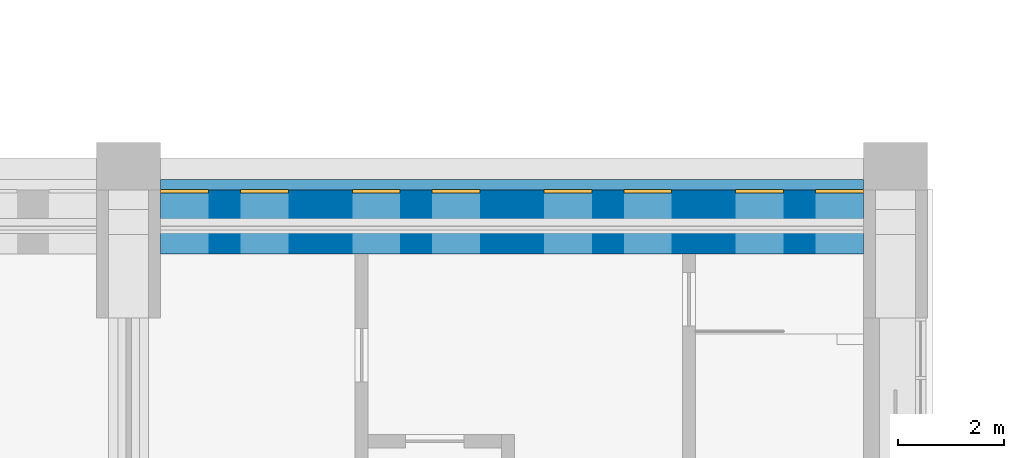
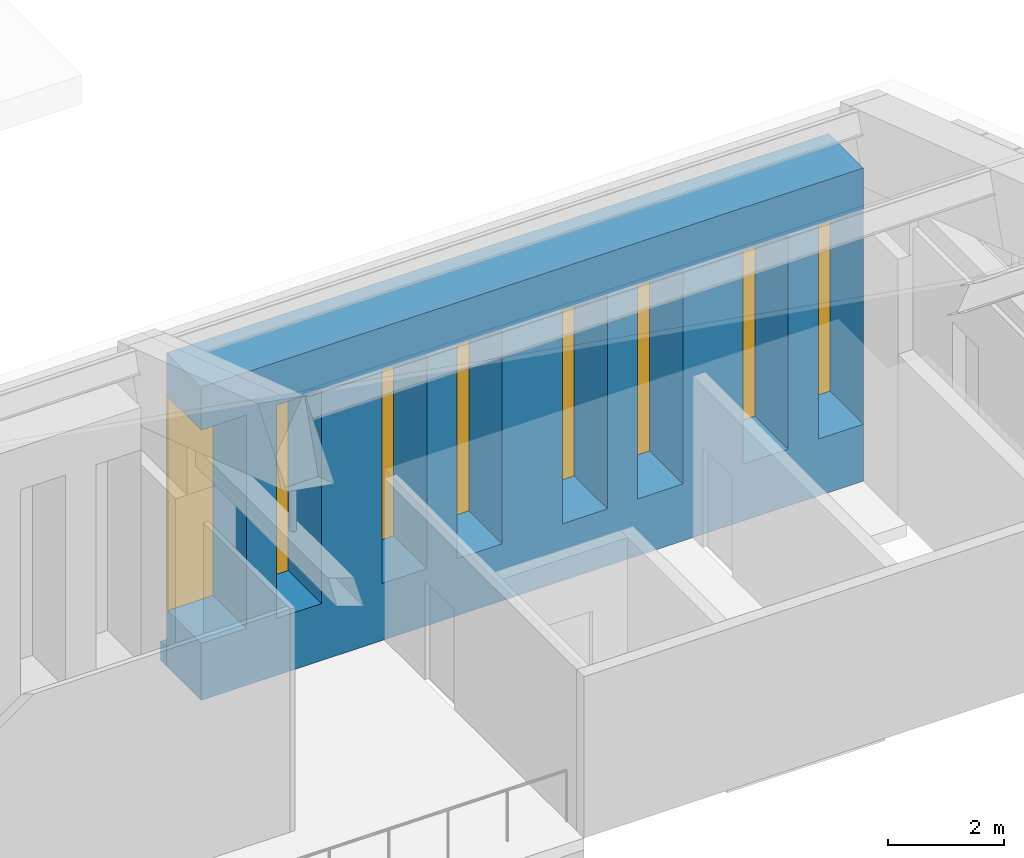
# One storey, part 135 of 149: 8 windows, 2 walls, 8 openings.
"""IFC4 building model written with IfcOpenShell, lengths in metres."""

from ifc_helpers import new_model, si_unit, direction, frame, frame_2d, origin, place, context, subcontext, project, spatial, rectangle, extrude, material, layer, layer_set, type_object, element, fill, save


model = new_model("IFC4")

# Units and contexts
model_context = context("Model", 3, precision=1e-05, world=origin(), true_north=direction((0.0, 1.0)))
body_context = subcontext(model_context, "Body", "Model", "MODEL_VIEW")
ifc_project = project(units=[si_unit("LENGTHUNIT", "METRE"), si_unit("AREAUNIT", "SQUARE_METRE"), si_unit("VOLUMEUNIT", "CUBIC_METRE"), si_unit("PLANEANGLEUNIT", "RADIAN"), si_unit("MASSUNIT", "GRAM", prefix="KILO")], contexts=[model_context])

# Site, building, storey
site_placement = place(None, origin())
site = spatial("IfcSite", under=ifc_project, at=site_placement, CompositionType="ELEMENT")
building_placement = place(site_placement, origin())
building = spatial("IfcBuilding", under=site, at=building_placement, Name="Alderwick Market Hall", CompositionType="ELEMENT")
storey_placement = place(building_placement, frame((0.0, 0.0, 9.60009765625)))
storey = spatial("IfcBuildingStorey", under=building, at=storey_placement, Name="L01", CompositionType="ELEMENT", Elevation=9.60009765625)

# Wall, openings, windows
ifc_material_1 = material(Name="Concrete 5000 psi (f'c 35 MPa)", Category="concrete")
ifc_layer_1 = layer(ifc_material_1, 1.199951171875)
ifc_layer_set_1 = layer_set([ifc_layer_1], Name="Concrete 5000 psi (f'c 35 MPa)")
wall_type_1 = type_object("IfcWallType", Name="H Long wall 1200", PredefinedType="SOLIDWALL", material=ifc_layer_set_1)
wall_1_placement = place(storey_placement, frame((137.39990234375, 108.0, 0.0), z_axis=(0.0, 0.0, 1.0), x_axis=(1.0, 0.0, 0.0)))
wall_1 = element("IfcWall", 1, at=wall_1_placement, inside=storey, type_object=wall_type_1, Name="Long wall N L01 7", PredefinedType="SOLIDWALL", context=body_context, shape_type="SweptSolid", body=[
    extrude(rectangle(XDim=13.2001953125, YDim=1.199951171875, at=frame_2d((6.60009765625, 0.0))), origin(), (0.0, 0.0, 1.0), 6.599853515625),
])
opening_1_placement = place(wall_1_placement, frame((0.0, 0.0, 1.199951171875)))
opening_1 = element("IfcOpeningElement", 2, at=opening_1_placement, cuts=wall_1, Name="Opening H-W209", PredefinedType="OPENING", context=body_context, shape_type="SweptSolid", body=[
    extrude(rectangle(XDim=0.89990234375, YDim=4.5, at=frame_2d((0.449951171875, 2.25))), frame((0.0, 0.60986328125, 0.0), z_axis=(0.0, -1.0, 0.0), x_axis=(1.0, 0.0, 0.0)), (0.0, 0.0, 1.0), 1.219970703125),
])
opening_2_placement = place(wall_1_placement, frame((1.5, 0.0, 1.199951171875)))
opening_2 = element("IfcOpeningElement", 3, at=opening_2_placement, cuts=wall_1, Name="Opening H-W210", PredefinedType="OPENING", context=body_context, shape_type="SweptSolid", body=[
    extrude(rectangle(XDim=0.89990234375, YDim=4.5, at=frame_2d((0.449951171875, 2.25))), frame((0.0, 0.60986328125, 0.0), z_axis=(0.0, -1.0, 0.0), x_axis=(1.0, 0.0, 0.0)), (0.0, 0.0, 1.0), 1.219970703125),
])
opening_3_placement = place(wall_1_placement, frame((3.60009765625, 0.0, 1.199951171875)))
opening_3 = element("IfcOpeningElement", 4, at=opening_3_placement, cuts=wall_1, Name="Opening H-W211", PredefinedType="OPENING", context=body_context, shape_type="SweptSolid", body=[
    extrude(rectangle(XDim=0.89990234375, YDim=4.5, at=frame_2d((0.449951171875, 2.25))), frame((0.0, 0.60986328125, 0.0), z_axis=(0.0, -1.0, 0.0), x_axis=(1.0, 0.0, 0.0)), (0.0, 0.0, 1.0), 1.219970703125),
])
opening_4_placement = place(wall_1_placement, frame((5.10009765625, 0.0, 1.199951171875)))
opening_4 = element("IfcOpeningElement", 5, at=opening_4_placement, cuts=wall_1, Name="Opening H-W212", PredefinedType="OPENING", context=body_context, shape_type="SweptSolid", body=[
    extrude(rectangle(XDim=0.89990234375, YDim=4.5, at=frame_2d((0.449951171875, 2.25))), frame((0.0, 0.60986328125, 0.0), z_axis=(0.0, -1.0, 0.0), x_axis=(1.0, 0.0, 0.0)), (0.0, 0.0, 1.0), 1.219970703125),
])
opening_5_placement = place(wall_1_placement, frame((7.199951171875, 0.0, 1.199951171875)))
opening_5 = element("IfcOpeningElement", 6, at=opening_5_placement, cuts=wall_1, Name="Opening H-W213", PredefinedType="OPENING", context=body_context, shape_type="SweptSolid", body=[
    extrude(rectangle(XDim=0.89990234375, YDim=4.5, at=frame_2d((0.449951171875, 2.25))), frame((0.0, 0.60986328125, 0.0), z_axis=(0.0, -1.0, 0.0), x_axis=(1.0, 0.0, 0.0)), (0.0, 0.0, 1.0), 1.219970703125),
])
opening_6_placement = place(wall_1_placement, frame((8.699951171875, 0.0, 1.199951171875)))
opening_6 = element("IfcOpeningElement", 7, at=opening_6_placement, cuts=wall_1, Name="Opening H-W214", PredefinedType="OPENING", context=body_context, shape_type="SweptSolid", body=[
    extrude(rectangle(XDim=0.89990234375, YDim=4.5, at=frame_2d((0.449951171875, 2.25))), frame((0.0, 0.60986328125, 0.0), z_axis=(0.0, -1.0, 0.0), x_axis=(1.0, 0.0, 0.0)), (0.0, 0.0, 1.0), 1.219970703125),
])
opening_7_placement = place(wall_1_placement, frame((10.800048828125, 0.0, 1.199951171875)))
opening_7 = element("IfcOpeningElement", 8, at=opening_7_placement, cuts=wall_1, Name="Opening H-W215", PredefinedType="OPENING", context=body_context, shape_type="SweptSolid", body=[
    extrude(rectangle(XDim=0.89990234375, YDim=4.5, at=frame_2d((0.449951171875, 2.25))), frame((0.0, 0.60986328125, 0.0), z_axis=(0.0, -1.0, 0.0), x_axis=(1.0, 0.0, 0.0)), (0.0, 0.0, 1.0), 1.219970703125),
])
opening_8_placement = place(wall_1_placement, frame((12.300048828125, 0.0, 1.199951171875)))
opening_8 = element("IfcOpeningElement", 9, at=opening_8_placement, cuts=wall_1, Name="Opening H-W216", PredefinedType="OPENING", context=body_context, shape_type="SweptSolid", body=[
    extrude(rectangle(XDim=0.89990234375, YDim=4.5, at=frame_2d((0.449951171875, 2.25))), frame((0.0, 0.60986328125, 0.0), z_axis=(0.0, -1.0, 0.0), x_axis=(1.0, 0.0, 0.0)), (0.0, 0.0, 1.0), 1.219970703125),
])
ifc_material_2 = material(Name="Aluminium frame with insulated glass", Category="aluminium")
window_type = type_object("IfcWindowType", Name="H Window 900x4500", PartitioningType="SINGLE_PANEL", PredefinedType="WINDOW", material=ifc_material_2)
window_1_placement = place(opening_1_placement, origin())
window_1 = element("IfcWindow", 10, at=window_1_placement, inside=storey, type_object=window_type, Name="Window H-W209", OverallHeight=4.5, OverallWidth=0.89990234375, PartitioningType="SINGLE_PANEL", PredefinedType="WINDOW", context=body_context, shape_type="SweptSolid", body=[
    extrude(rectangle(XDim=0.89990234375, YDim=4.5, at=frame_2d((0.449951171875, 2.25))), frame((0.0, 0.610107421875, 0.0), z_axis=(0.0, -1.0, 0.0), x_axis=(1.0, 0.0, 0.0)), (0.0, 0.0, 1.0), 0.06005859375),
])
fill(opening_1, window_1)
window_2_placement = place(opening_2_placement, origin())
window_2 = element("IfcWindow", 11, at=window_2_placement, inside=storey, type_object=window_type, Name="Window H-W210", OverallHeight=4.5, OverallWidth=0.89990234375, PartitioningType="SINGLE_PANEL", PredefinedType="WINDOW", context=body_context, shape_type="SweptSolid", body=[
    extrude(rectangle(XDim=0.89990234375, YDim=4.5, at=frame_2d((0.449951171875, 2.25))), frame((0.0, 0.610107421875, 0.0), z_axis=(0.0, -1.0, 0.0), x_axis=(1.0, 0.0, 0.0)), (0.0, 0.0, 1.0), 0.06005859375),
])
fill(opening_2, window_2)
window_3_placement = place(opening_3_placement, origin())
window_3 = element("IfcWindow", 12, at=window_3_placement, inside=storey, type_object=window_type, Name="Window H-W211", OverallHeight=4.5, OverallWidth=0.89990234375, PartitioningType="SINGLE_PANEL", PredefinedType="WINDOW", context=body_context, shape_type="SweptSolid", body=[
    extrude(rectangle(XDim=0.89990234375, YDim=4.5, at=frame_2d((0.449951171875, 2.25))), frame((0.0, 0.610107421875, 0.0), z_axis=(0.0, -1.0, 0.0), x_axis=(1.0, 0.0, 0.0)), (0.0, 0.0, 1.0), 0.06005859375),
])
fill(opening_3, window_3)
window_4_placement = place(opening_4_placement, origin())
window_4 = element("IfcWindow", 13, at=window_4_placement, inside=storey, type_object=window_type, Name="Window H-W212", OverallHeight=4.5, OverallWidth=0.89990234375, PartitioningType="SINGLE_PANEL", PredefinedType="WINDOW", context=body_context, shape_type="SweptSolid", body=[
    extrude(rectangle(XDim=0.89990234375, YDim=4.5, at=frame_2d((0.449951171875, 2.25))), frame((0.0, 0.610107421875, 0.0), z_axis=(0.0, -1.0, 0.0), x_axis=(1.0, 0.0, 0.0)), (0.0, 0.0, 1.0), 0.06005859375),
])
fill(opening_4, window_4)
window_5_placement = place(opening_5_placement, origin())
window_5 = element("IfcWindow", 14, at=window_5_placement, inside=storey, type_object=window_type, Name="Window H-W213", OverallHeight=4.5, OverallWidth=0.89990234375, PartitioningType="SINGLE_PANEL", PredefinedType="WINDOW", context=body_context, shape_type="SweptSolid", body=[
    extrude(rectangle(XDim=0.89990234375, YDim=4.5, at=frame_2d((0.449951171875, 2.25))), frame((0.0, 0.610107421875, 0.0), z_axis=(0.0, -1.0, 0.0), x_axis=(1.0, 0.0, 0.0)), (0.0, 0.0, 1.0), 0.06005859375),
])
fill(opening_5, window_5)
window_6_placement = place(opening_6_placement, origin())
window_6 = element("IfcWindow", 15, at=window_6_placement, inside=storey, type_object=window_type, Name="Window H-W214", OverallHeight=4.5, OverallWidth=0.89990234375, PartitioningType="SINGLE_PANEL", PredefinedType="WINDOW", context=body_context, shape_type="SweptSolid", body=[
    extrude(rectangle(XDim=0.89990234375, YDim=4.5, at=frame_2d((0.449951171875, 2.25))), frame((0.0, 0.610107421875, 0.0), z_axis=(0.0, -1.0, 0.0), x_axis=(1.0, 0.0, 0.0)), (0.0, 0.0, 1.0), 0.06005859375),
])
fill(opening_6, window_6)
window_7_placement = place(opening_7_placement, origin())
window_7 = element("IfcWindow", 16, at=window_7_placement, inside=storey, type_object=window_type, Name="Window H-W215", OverallHeight=4.5, OverallWidth=0.89990234375, PartitioningType="SINGLE_PANEL", PredefinedType="WINDOW", context=body_context, shape_type="SweptSolid", body=[
    extrude(rectangle(XDim=0.89990234375, YDim=4.5, at=frame_2d((0.449951171875, 2.25))), frame((0.0, 0.610107421875, 0.0), z_axis=(0.0, -1.0, 0.0), x_axis=(1.0, 0.0, 0.0)), (0.0, 0.0, 1.0), 0.06005859375),
])
fill(opening_7, window_7)
window_8_placement = place(opening_8_placement, origin())
window_8 = element("IfcWindow", 17, at=window_8_placement, inside=storey, type_object=window_type, Name="Window H-W216", OverallHeight=4.5, OverallWidth=0.89990234375, PartitioningType="SINGLE_PANEL", PredefinedType="WINDOW", context=body_context, shape_type="SweptSolid", body=[
    extrude(rectangle(XDim=0.89990234375, YDim=4.5, at=frame_2d((0.449951171875, 2.25))), frame((0.0, 0.610107421875, 0.0), z_axis=(0.0, -1.0, 0.0), x_axis=(1.0, 0.0, 0.0)), (0.0, 0.0, 1.0), 0.06005859375),
])
fill(opening_8, window_8)

# Wall
ifc_material_3 = material(Name="Cast stone 5000 psi (f'c 35 MPa), ASTM C1364", Category="masonry")
ifc_layer_2 = layer(ifc_material_3, 0.199951171875)
ifc_layer_set_2 = layer_set([ifc_layer_2], Name="Cast stone 5000 psi (f'c 35 MPa), ASTM C1364")
wall_type_2 = type_object("IfcWallType", Name="H String course 200", PredefinedType="SOLIDWALL", material=ifc_layer_set_2)
wall_2_placement = place(storey_placement, frame((137.39990234375, 108.699951171875, 0.0), z_axis=(0.0, 0.0, 1.0), x_axis=(1.0, 0.0, 0.0)))
element("IfcWall", 18, at=wall_2_placement, inside=storey, type_object=wall_type_2, Name="String course N7", PredefinedType="SOLIDWALL", context=body_context, shape_type="SweptSolid", body=[
    extrude(rectangle(XDim=13.2001953125, YDim=0.199951171875, at=frame_2d((6.60009765625, 0.0))), origin(), (0.0, 0.0, 1.0), 0.39990234375),
])

save(model, "model.ifc")
